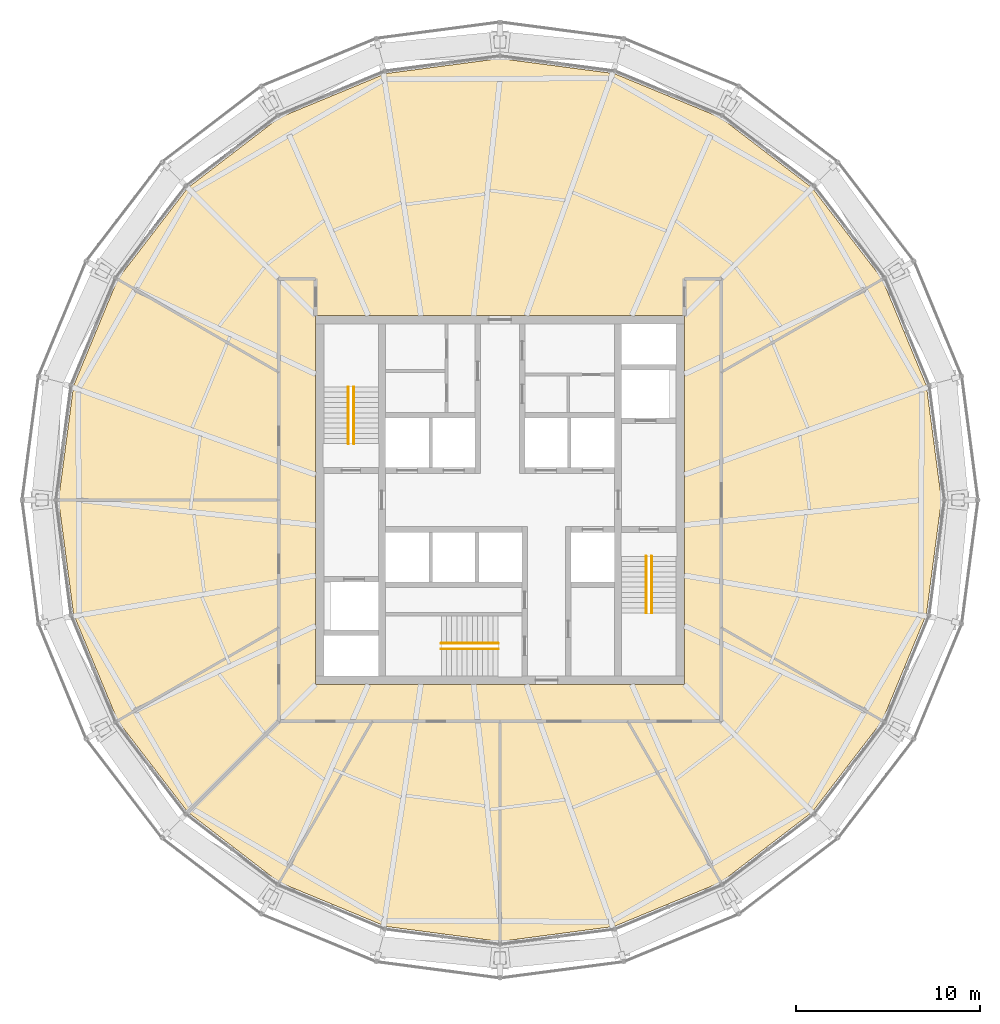
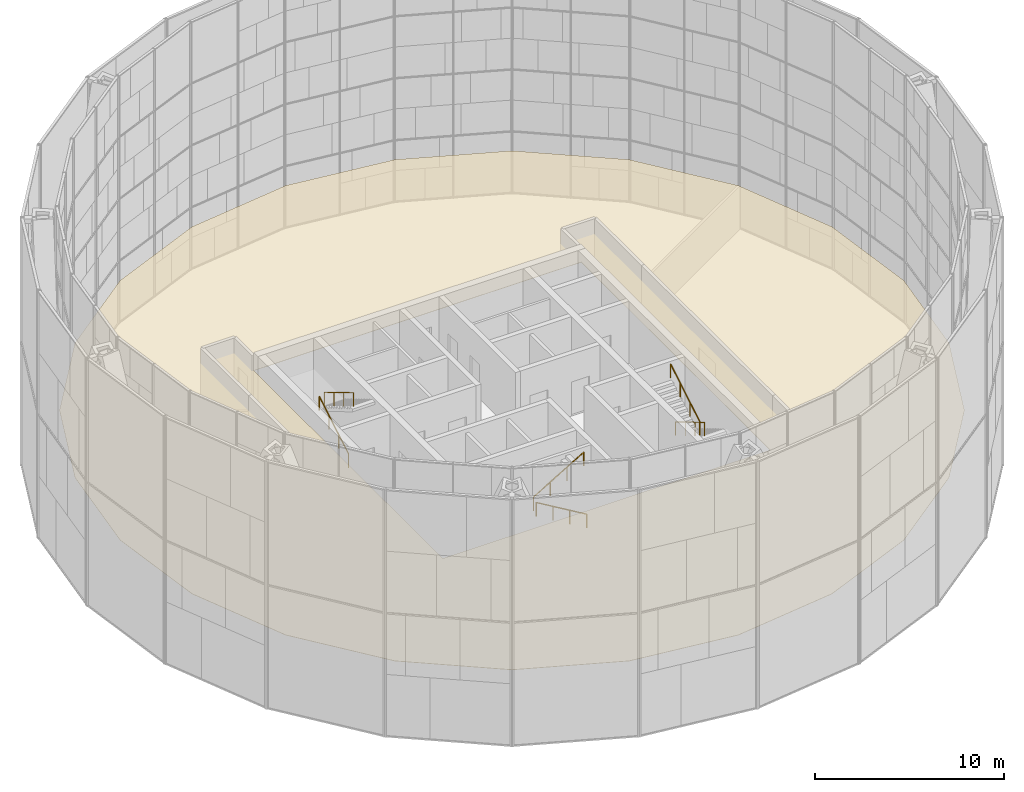
# One storey, part 30 of 30: 6 railings, 1 covering.
"""IFC4 building model written with IfcOpenShell, lengths in metres."""

from ifc_helpers import new_model, si_unit, direction, frame, origin, origin_2d, place, context, subcontext, project, spatial, polyline, circle, outline, extrude, material, layer, layer_set, type_object, element, save


model = new_model("IFC4")

# Units and contexts
model_context = context("Model", 3, precision=1e-05, world=origin(), true_north=direction((0.0, 1.0)))
body_context = subcontext(model_context, "Body", "Model", "MODEL_VIEW")
ifc_project = project(units=[si_unit("LENGTHUNIT", "METRE"), si_unit("AREAUNIT", "SQUARE_METRE"), si_unit("VOLUMEUNIT", "CUBIC_METRE"), si_unit("PLANEANGLEUNIT", "RADIAN"), si_unit("MASSUNIT", "GRAM", prefix="KILO")], contexts=[model_context])

# Site, building, storey
site_placement = place(None, origin())
site = spatial("IfcSite", under=ifc_project, at=site_placement, CompositionType="ELEMENT")
building_placement = place(site_placement, origin())
building = spatial("IfcBuilding", under=site, at=building_placement, Name="Golbaran Civic Tower", CompositionType="ELEMENT")
storey_placement = place(building_placement, frame((0.0, 0.0, 167.0)))
storey = spatial("IfcBuildingStorey", under=building, at=storey_placement, Name="L40", CompositionType="ELEMENT", Elevation=167.0)

# Railings
ifc_material_1 = material(Name="Stainless steel", Category="steel")
railing_type = type_object("IfcRailingType", Name="STAIR HANDRAIL 900", PredefinedType="HANDRAIL", material=ifc_material_1)
railing_1_placement = place(storey_placement, frame((-8.22509765625, 3.050048828125, 0.166748046875)))
element("IfcRailing", 1, at=railing_1_placement, inside=storey, type_object=railing_type, Name="Stair S1 handrail flight 1 L40", PredefinedType="HANDRAIL", context=body_context, shape_type="SweptSolid", body=[
    extrude(circle(Radius=0.02392578125, at=origin_2d()), frame((0.0, 0.0, 0.8759765625), z_axis=(0.0, 0.859290745958, 0.51148745235), x_axis=(-1.0, 0.0, 0.0)), (0.0, 0.0, 1.0), 3.584228515625),
    extrude(circle(Radius=0.02099609375, at=origin_2d()), origin(), (0.0, 0.0, 1.0), 0.851806640625),
    extrude(circle(Radius=0.02099609375, at=origin_2d()), frame((0.0, 1.026611328125, 0.611083984375)), (0.0, 0.0, 1.0), 0.851806640625),
    extrude(circle(Radius=0.02099609375, at=origin_2d()), frame((0.0, 2.05322265625, 1.22216796875)), (0.0, 0.0, 1.0), 0.851806640625),
    extrude(circle(Radius=0.02099609375, at=origin_2d()), frame((0.0, 3.079833984375, 1.833251953125)), (0.0, 0.0, 1.0), 0.851806640625),
])
for number, where, name in (
    (2, (-7.925048828125, 6.1298828125, 2.166748046875), "Stair S1 handrail flight 2 L40"),
    (3, (8.22509765625, -3.050048828125, 0.166748046875), "Stair S2 handrail flight 1 L40"),
):
    element("IfcRailing", number, at=place(storey_placement, frame(where)), inside=storey, type_object=railing_type, Name=name, PredefinedType="HANDRAIL", context=body_context, shape_type="SweptSolid", body=[
        extrude(circle(Radius=0.02392578125, at=origin_2d()), frame((0.0, 0.0, 0.8759765625), z_axis=(0.0, -0.859290745958, 0.51148745235), x_axis=(1.0, 0.0, 0.0)), (0.0, 0.0, 1.0), 3.584228515625),
        extrude(circle(Radius=0.02099609375, at=origin_2d()), origin(), (0.0, 0.0, 1.0), 0.851806640625),
        extrude(circle(Radius=0.02099609375, at=origin_2d()), frame((0.0, -1.026611328125, 0.611083984375)), (0.0, 0.0, 1.0), 0.851806640625),
        extrude(circle(Radius=0.02099609375, at=origin_2d()), frame((0.0, -2.05322265625, 1.22216796875)), (0.0, 0.0, 1.0), 0.851806640625),
        extrude(circle(Radius=0.02099609375, at=origin_2d()), frame((0.0, -3.079833984375, 1.833251953125)), (0.0, 0.0, 1.0), 0.851806640625),
    ])
railing_2_placement = place(storey_placement, frame((7.925048828125, -6.1298828125, 2.166748046875)))
element("IfcRailing", 4, at=railing_2_placement, inside=storey, type_object=railing_type, Name="Stair S2 handrail flight 2 L40", PredefinedType="HANDRAIL", context=body_context, shape_type="SweptSolid", body=[
    extrude(circle(Radius=0.02392578125, at=origin_2d()), frame((0.0, 0.0, 0.8759765625), z_axis=(0.0, 0.859290745958, 0.51148745235), x_axis=(-1.0, 0.0, 0.0)), (0.0, 0.0, 1.0), 3.584228515625),
    extrude(circle(Radius=0.02099609375, at=origin_2d()), origin(), (0.0, 0.0, 1.0), 0.851806640625),
    extrude(circle(Radius=0.02099609375, at=origin_2d()), frame((0.0, 1.026611328125, 0.611083984375)), (0.0, 0.0, 1.0), 0.851806640625),
    extrude(circle(Radius=0.02099609375, at=origin_2d()), frame((0.0, 2.05322265625, 1.22216796875)), (0.0, 0.0, 1.0), 0.851806640625),
    extrude(circle(Radius=0.02099609375, at=origin_2d()), frame((0.0, 3.079833984375, 1.833251953125)), (0.0, 0.0, 1.0), 0.851806640625),
])
railing_3_placement = place(storey_placement, frame((-0.10009765625, -8.074951171875, 0.166748046875)))
element("IfcRailing", 5, at=railing_3_placement, inside=storey, type_object=railing_type, Name="Stair S3 handrail flight 1 L40", PredefinedType="HANDRAIL", context=body_context, shape_type="SweptSolid", body=[
    extrude(circle(Radius=0.02392578125, at=origin_2d()), frame((0.0, 0.0, 0.8759765625), z_axis=(-0.859290745958, 0.0, 0.51148745235), x_axis=(0.0, -1.0, 0.0)), (0.0, 0.0, 1.0), 3.584228515625),
    extrude(circle(Radius=0.02099609375, at=origin_2d()), origin(), (0.0, 0.0, 1.0), 0.851806640625),
    extrude(circle(Radius=0.02099609375, at=origin_2d()), frame((-1.026611328125, 0.0, 0.611083984375)), (0.0, 0.0, 1.0), 0.851806640625),
    extrude(circle(Radius=0.02099609375, at=origin_2d()), frame((-2.05322265625, 0.0, 1.22216796875)), (0.0, 0.0, 1.0), 0.851806640625),
    extrude(circle(Radius=0.02099609375, at=origin_2d()), frame((-3.079833984375, 0.0, 1.833251953125)), (0.0, 0.0, 1.0), 0.851806640625),
])
railing_4_placement = place(storey_placement, frame((-3.179931640625, -7.77490234375, 2.166748046875)))
element("IfcRailing", 6, at=railing_4_placement, inside=storey, type_object=railing_type, Name="Stair S3 handrail flight 2 L40", PredefinedType="HANDRAIL", context=body_context, shape_type="SweptSolid", body=[
    extrude(circle(Radius=0.02392578125, at=origin_2d()), frame((0.0, 0.0, 0.8759765625), z_axis=(0.859290745958, 0.0, 0.51148745235), x_axis=(0.0, 1.0, 0.0)), (0.0, 0.0, 1.0), 3.584228515625),
    extrude(circle(Radius=0.02099609375, at=origin_2d()), origin(), (0.0, 0.0, 1.0), 0.851806640625),
    extrude(circle(Radius=0.02099609375, at=origin_2d()), frame((1.026611328125, 0.0, 0.611083984375)), (0.0, 0.0, 1.0), 0.851806640625),
    extrude(circle(Radius=0.02099609375, at=origin_2d()), frame((2.05322265625, 0.0, 1.22216796875)), (0.0, 0.0, 1.0), 0.851806640625),
    extrude(circle(Radius=0.02099609375, at=origin_2d()), frame((3.079833984375, 0.0, 1.833251953125)), (0.0, 0.0, 1.0), 0.851806640625),
])

# Covering
ifc_material_2 = material(Name="Mineral fibre tile on steel grid", Category="steel")
ifc_layer = layer(ifc_material_2, 0.02001953125, Name="Mineral fibre tile on steel grid")
ifc_layer_set = layer_set([ifc_layer], Name="Mineral fibre tile on steel grid")
covering_type = type_object("IfcCoveringType", Name="SUSPENDED CEILING 600 TILE 20", PredefinedType="CEILING", material=ifc_layer_set)
covering_placement = place(storey_placement, frame((0.0, 0.0, 2.800048828125)))
element("IfcCovering", 7, at=covering_placement, inside=storey, type_object=covering_type, Name="Suspended ceiling L40", PredefinedType="CEILING", context=body_context, shape_type="SweptSolid", body=[
    extrude(outline(polyline([(-16.923095703125, 16.923095703125), (-11.966552734375, 20.7265625), (-6.1943359375, 23.117431640625), (0.0, 23.93310546875), (6.1943359375, 23.117431640625), (11.966552734375, 20.7265625), (16.923095703125, 16.923095703125), (20.7265625, 11.966552734375), (23.117431640625, 6.1943359375), (23.93310546875, 0.0), (23.117431640625, -6.1943359375), (20.7265625, -11.966552734375), (16.923095703125, -16.923095703125), (11.966552734375, -20.7265625), (6.1943359375, -23.117431640625), (0.0, -23.93310546875), (-6.1943359375, -23.117431640625), (-11.966552734375, -20.7265625), (-16.923095703125, -16.923095703125), (-20.7265625, -11.966552734375), (-23.117431640625, -6.1943359375), (-23.93310546875, 0.0), (-23.117431640625, 6.1943359375), (-20.7265625, 11.966552734375), (-16.923095703125, 16.923095703125)]), holes=[polyline([(10.0, -10.0), (10.0, 10.0), (-10.0, 10.0), (-10.0, -10.0), (10.0, -10.0)])]), origin(), (0.0, 0.0, 1.0), 0.02001953125),
])

save(model, "model.ifc")
